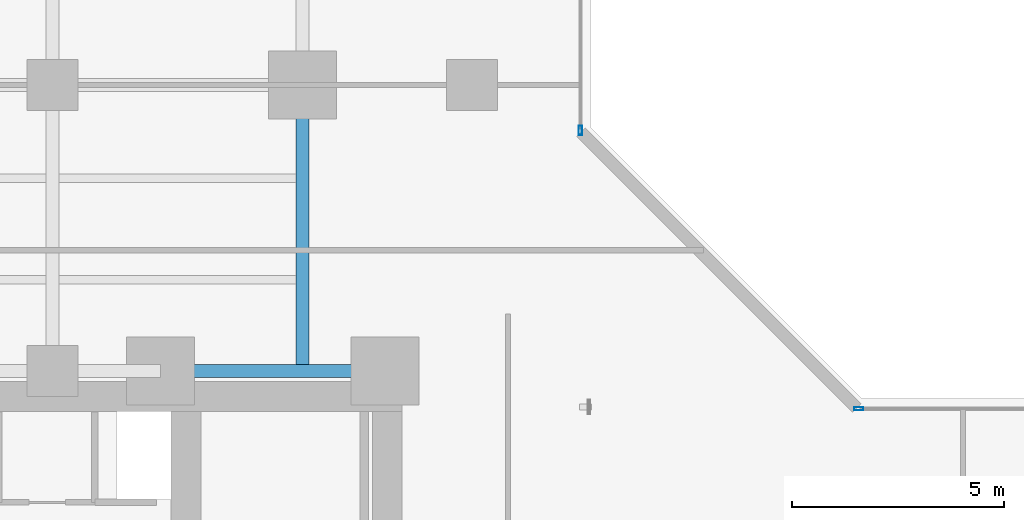
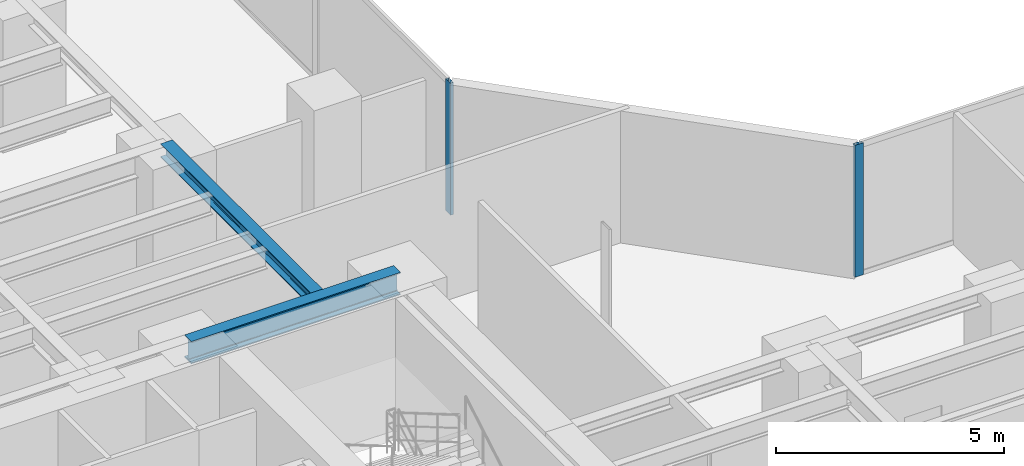
# One storey, part 8 of 31: 2 beams, 2 members, 2 elements without a shape of their own.
"""IFC4 building model written with IfcOpenShell, lengths in metres."""

from ifc_helpers import new_model, si_unit, direction, frame, origin, origin_with_axes, origin_2d, place, context, subcontext, project, spatial, hollow_rectangle, i_section, extrude, source, transform, mapped, material, layer, layer_set, material_profile, profile_set, type_object, element, aggregate, save


model = new_model("IFC4")

# Units and contexts
model_context = context("Model", 3, precision=1e-05, world=origin(), true_north=direction((0.0, 1.0)))
body_context = subcontext(model_context, "Body", "Model", "MODEL_VIEW")
ifc_project = project(units=[si_unit("LENGTHUNIT", "METRE"), si_unit("AREAUNIT", "SQUARE_METRE"), si_unit("VOLUMEUNIT", "CUBIC_METRE"), si_unit("PLANEANGLEUNIT", "RADIAN"), si_unit("MASSUNIT", "GRAM", prefix="KILO")], contexts=[model_context])

# Site, building, storey
site_placement = place(None, origin())
site = spatial("IfcSite", under=ifc_project, at=site_placement, CompositionType="ELEMENT")
building_placement = place(site_placement, origin())
building = spatial("IfcBuilding", under=site, at=building_placement, Name="Kolvaren Waterfront Exchange", CompositionType="ELEMENT")
storey_placement = place(building_placement, frame((0.0, 0.0, 67.60009765625)))
storey = spatial("IfcBuildingStorey", under=building, at=storey_placement, Name="L17", CompositionType="ELEMENT", Elevation=67.60009765625)

# Beams
ifc_material_1 = material(Name="Steel S355", Category="steel")
ifc_material_profile_1 = material_profile(ifc_material_1, i_section(OverallWidth=0.300048828125, OverallDepth=0.360107421875, WebThickness=0.012451171875, FlangeThickness=0.0224609375, FilletRadius=0.027099609375, at=origin_2d()), Name="HEB360")
ifc_profile_set_1 = profile_set([ifc_material_profile_1], Name="Steel S355")
beam_type_1 = type_object("IfcBeamType", Name="STR-BM-HEB360", PredefinedType="SPANDREL", material=ifc_profile_set_1)
beam_1_placement = place(storey_placement, frame((18.800048828125, 24.449951171875, 3.35986328125), z_axis=(0.0, 1.0, 0.0), x_axis=(-1.0, 0.0, 0.0)))
element("IfcBeam", 1, at=beam_1_placement, inside=storey, type_object=beam_type_1, Name="L17 north-arm edge beam 1", PredefinedType="SPANDREL", context=body_context, shape_type="SweptSolid", body=[
    extrude(i_section(OverallWidth=0.300048828125, OverallDepth=0.360107421875, WebThickness=0.012451171875, FlangeThickness=0.0224609375, FilletRadius=0.027099609375, at=origin_2d()), origin(), (0.0, 0.0, 1.0), 6.75),
])
ifc_material_profile_2 = material_profile(ifc_material_1, i_section(OverallWidth=0.300048828125, OverallDepth=0.60009765625, WebThickness=0.015380859375, FlangeThickness=0.030029296875, FilletRadius=0.027099609375, at=origin_2d()), Name="HEB600")
ifc_profile_set_2 = profile_set([ifc_material_profile_2], Name="Steel S355")
beam_type_2 = type_object("IfcBeamType", Name="STR-BM-HEB600", PredefinedType="BEAM", material=ifc_profile_set_2)
beam_2_placement = place(storey_placement, frame((15.449951171875, 24.449951171875, 3.239990234375), z_axis=(1.0, 0.0, 0.0), x_axis=(0.0, 1.0, 0.0)))
element("IfcBeam", 2, at=beam_2_placement, inside=storey, type_object=beam_type_2, Name="L17 north-arm girder 1C", PredefinedType="BEAM", context=body_context, shape_type="SweptSolid", body=[
    extrude(i_section(OverallWidth=0.300048828125, OverallDepth=0.60009765625, WebThickness=0.015380859375, FlangeThickness=0.030029296875, FilletRadius=0.027099609375, at=origin_2d()), origin(), (0.0, 0.0, 1.0), 5.300048828125),
])

# Curtain wall, member
ifc_material_2 = material(Name="Anodised bronze aluminium 6063-T6", Category="aluminium")
ifc_layer = layer(ifc_material_2, 0.219970703125, Name="Anodised bronze aluminium 6063-T6")
ifc_layer_set = layer_set([ifc_layer], Name="Anodised bronze aluminium 6063-T6")
curtain_wall_type = type_object("IfcCurtainWallType", Name="ARC-CW-SYS1", PredefinedType="USERDEFINED", material=ifc_layer_set)
curtain_wall_1_placement = place(storey_placement, origin())
curtain_wall_1 = element("IfcCurtainWall", 3, at=curtain_wall_1_placement, inside=storey, type_object=curtain_wall_type, Name="L17 stick curtain wall CW1 (CW-L17-NE)", ObjectType="STICK CURTAIN WALL", PredefinedType="USERDEFINED")
ifc_material_3 = material(Name="Anodised aluminium 6063-T6", Category="aluminium")
ifc_material_profile_3 = material_profile(ifc_material_3, hollow_rectangle(XDim=0.080078125, YDim=0.219970703125, WallThickness=0.0048828125, at=origin_2d()), Name="ALU-MUL-220x80x5")
ifc_profile_set_3 = profile_set([ifc_material_profile_3], Name="Anodised aluminium 6063-T6")
member_type = type_object("IfcMemberType", Name="ARC-CWM-220", PredefinedType="MULLION", material=ifc_profile_set_3)
shared_shape = source(origin_with_axes(), body_context, "Body", "SweptSolid", [
    extrude(hollow_rectangle(XDim=0.080078125, YDim=0.219970703125, WallThickness=0.0048828125, at=origin_2d()), origin(), (0.0, 0.0, 1.0), 3.539794921875),
])
member_1_placement = place(storey_placement, frame((25.360107421875, 30.1298828125, 0.0), z_axis=(0.0, 0.0, 1.0), x_axis=(-1.0, 0.0, 0.0)))
member_1 = element("IfcMember", 4, at=member_1_placement, type_object=member_type, Name="CW1 mullion 1", PredefinedType="MULLION", context=body_context, shape_type="MappedRepresentation", body=[
    mapped(shared_shape, transform((0.0, 0.0, 0.0), x_axis=(1.0, 0.0, 0.0), y_axis=(0.0, 1.0, 0.0), z_axis=(0.0, 0.0, 1.0), scale=1.0)),
])
aggregate(curtain_wall_1, [member_1])

curtain_wall_2_placement = place(storey_placement, origin())
curtain_wall_2 = element("IfcCurtainWall", 5, at=curtain_wall_2_placement, inside=storey, type_object=curtain_wall_type, Name="L17 stick curtain wall CW1 (CW-L17-EN)", ObjectType="STICK CURTAIN WALL", PredefinedType="USERDEFINED")
member_2_placement = place(storey_placement, frame((31.929931640625, 23.56005859375, 0.0), z_axis=(0.0, 0.0, 1.0), x_axis=(0.0, 1.0, 0.0)))
member_2 = element("IfcMember", 6, at=member_2_placement, type_object=member_type, Name="CW1 mullion 1", PredefinedType="MULLION", context=body_context, shape_type="MappedRepresentation", body=[
    mapped(shared_shape, transform((0.0, 0.0, 0.0), x_axis=(1.0, 0.0, 0.0), y_axis=(0.0, 1.0, 0.0), z_axis=(0.0, 0.0, 1.0), scale=1.0)),
])
aggregate(curtain_wall_2, [member_2])

save(model, "model.ifc")
